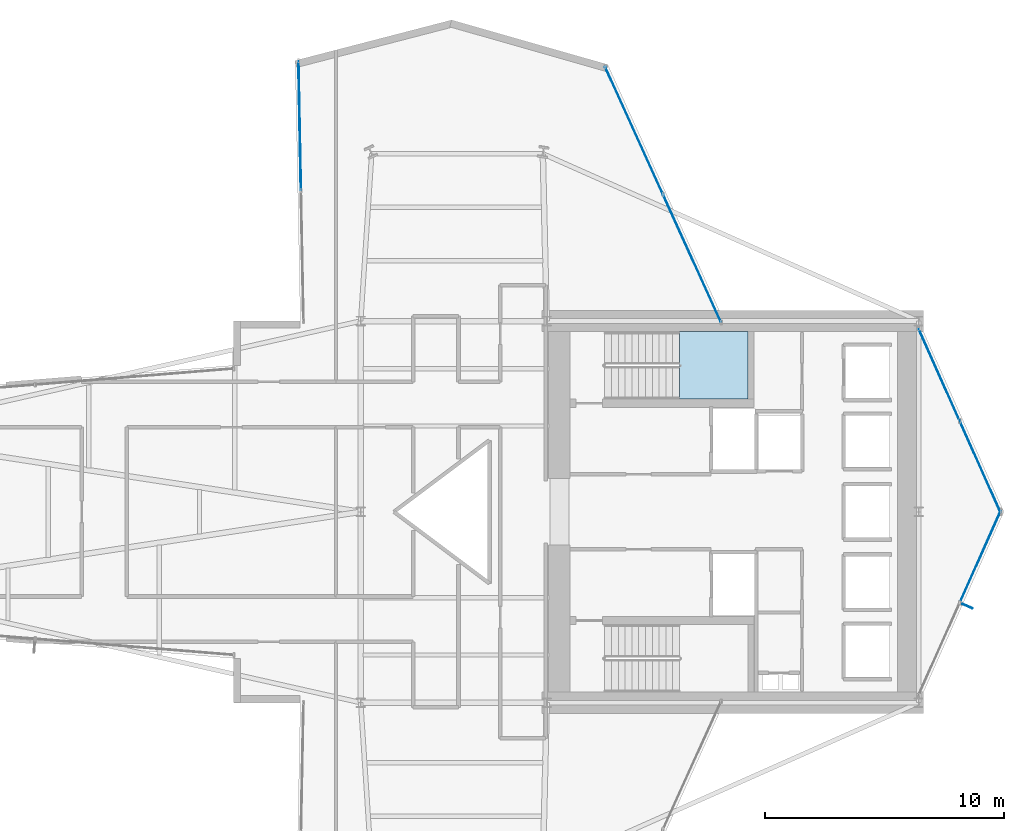
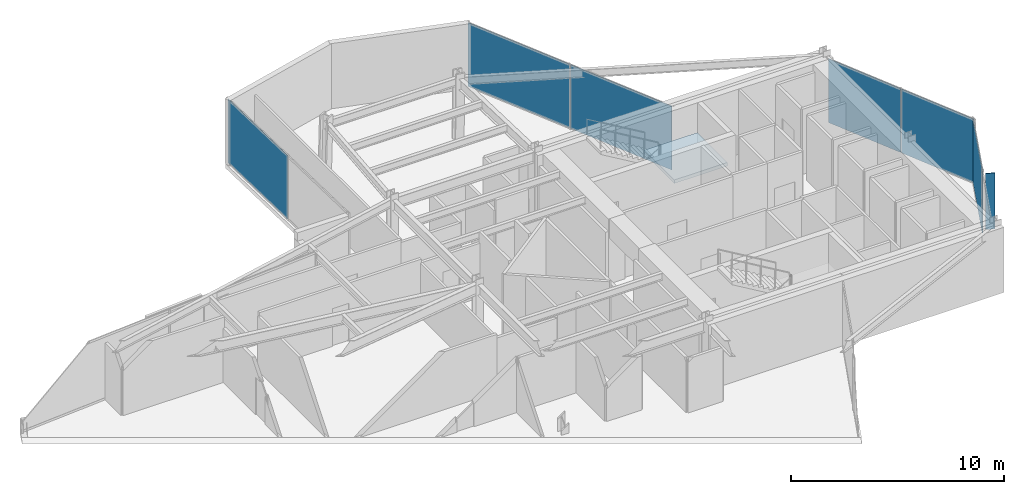
# One storey, part 21 of 25: 7 plates, 1 slab, 5 elements without a shape of their own.
"""IFC4 building model written with IfcOpenShell, lengths in metres."""

from ifc_helpers import new_model, si_unit, direction, frame, origin, origin_2d, place, context, subcontext, project, spatial, polyline, rectangle, outline, extrude, material, layer, layer_set, type_object, element, aggregate, save


model = new_model("IFC4")

# Units and contexts
model_context = context("Model", 3, precision=1e-05, world=origin(), true_north=direction((0.0, 1.0)))
body_context = subcontext(model_context, "Body", "Model", "MODEL_VIEW")
ifc_project = project(units=[si_unit("LENGTHUNIT", "METRE"), si_unit("AREAUNIT", "SQUARE_METRE"), si_unit("VOLUMEUNIT", "CUBIC_METRE"), si_unit("PLANEANGLEUNIT", "RADIAN"), si_unit("MASSUNIT", "GRAM", prefix="KILO")], contexts=[model_context])

# Site, building, storey
site_placement = place(None, origin())
site = spatial("IfcSite", under=ifc_project, at=site_placement, CompositionType="ELEMENT")
building_placement = place(site_placement, origin())
building = spatial("IfcBuilding", under=site, at=building_placement, Name="Veymaron Broadcast Tower", CompositionType="ELEMENT")
storey_placement = place(building_placement, frame((0.0, 0.0, 102.60009765625)))
storey = spatial("IfcBuildingStorey", under=building, at=storey_placement, Name="L23", CompositionType="ELEMENT", Elevation=102.60009765625)

# Curtain wall, plate
ifc_material_1 = material(Name="Anodised aluminium AA 6063-T6 and laminated low-E dark glass", Category="aluminium")
ifc_layer_1 = layer(ifc_material_1, 0.179931640625)
ifc_layer_set_1 = layer_set([ifc_layer_1], Name="Anodised aluminium AA 6063-T6 and laminated low-E dark glass")
curtain_wall_type = type_object("IfcCurtainWallType", Name="CW-SYS-02", PredefinedType="NOTDEFINED", material=ifc_layer_set_1)
curtain_wall_1_placement = place(storey_placement, origin())
curtain_wall_1 = element("IfcCurtainWall", 1, at=curtain_wall_1_placement, inside=storey, type_object=curtain_wall_type, Name="L23 dark-glass curtain wall CW-L23-E2-1", PredefinedType="NOTDEFINED")
ifc_material_2 = material(Name="Double-silver solar-control dark glass IGU 32 mm", Category="glass")
ifc_layer_2 = layer(ifc_material_2, 0.031982421875)
ifc_layer_set_2 = layer_set([ifc_layer_2], Name="Double-silver solar-control dark glass IGU 32 mm")
plate_type_1 = type_object("IfcPlateType", Name="CW-PNL-02", PredefinedType="CURTAIN_PANEL", material=ifc_layer_set_2)
plate_1_placement = place(storey_placement, frame((57.178466796875, 22.121337890625, 0.0400390625), z_axis=(0.0, 0.0, 1.0), x_axis=(0.407517768669, 0.913197277821, 0.0)))
plate_1 = element("IfcPlate", 2, at=plate_1_placement, type_object=plate_type_1, Name="CW-L23-E2-1 unitised curtain panel 1", PredefinedType="CURTAIN_PANEL", context=body_context, shape_type="SweptSolid", body=[
    extrude(rectangle(XDim=4.17919921875, YDim=0.031982421875, at=origin_2d()), origin(), (0.0, 0.0, 1.0), 3.64990234375),
])
aggregate(curtain_wall_1, [plate_1])

# Curtain wall, plates
curtain_wall_2_placement = place(storey_placement, origin())
curtain_wall_2 = element("IfcCurtainWall", 3, at=curtain_wall_2_placement, inside=storey, type_object=curtain_wall_type, Name="L23 dark-glass curtain wall CW-L23-E3-1", PredefinedType="NOTDEFINED")
plate_2_placement = place(storey_placement, frame((57.178466796875, 25.878662109375, 0.0400390625), z_axis=(0.0, 0.0, 1.0), x_axis=(-0.407517768669, 0.913197277821, 0.0)))
plate_2 = element("IfcPlate", 4, at=plate_2_placement, type_object=plate_type_1, Name="CW-L23-E3-1 unitised curtain panel 0", PredefinedType="CURTAIN_PANEL", context=body_context, shape_type="SweptSolid", body=[
    extrude(rectangle(XDim=4.17919921875, YDim=0.031982421875, at=origin_2d()), origin(), (0.0, 0.0, 1.0), 3.64990234375),
])
plate_3_placement = place(storey_placement, frame((55.45068359375, 29.75, 0.0400390625), z_axis=(0.0, 0.0, 1.0), x_axis=(-0.407517768669, 0.913197277821, 0.0)))
plate_3 = element("IfcPlate", 5, at=plate_3_placement, type_object=plate_type_1, Name="CW-L23-E3-1 unitised curtain panel 1", PredefinedType="CURTAIN_PANEL", context=body_context, shape_type="SweptSolid", body=[
    extrude(rectangle(XDim=4.17919921875, YDim=0.031982421875, at=origin_2d()), origin(), (0.0, 0.0, 1.0), 3.64990234375),
])
aggregate(curtain_wall_2, [plate_2, plate_3])

curtain_wall_3_placement = place(storey_placement, origin())
curtain_wall_3 = element("IfcCurtainWall", 6, at=curtain_wall_3_placement, inside=storey, type_object=curtain_wall_type, Name="L23 dark-glass curtain wall CW-L23-E5-1", PredefinedType="NOTDEFINED")
plate_4_placement = place(storey_placement, frame((45.092041015625, 34.627197265625, 0.0400390625), z_axis=(0.0, 0.0, 1.0), x_axis=(-0.41300906099, 0.910726916007, 0.0)))
plate_4 = element("IfcPlate", 7, at=plate_4_placement, type_object=plate_type_1, Name="CW-L23-E5-1 unitised curtain panel 0", PredefinedType="CURTAIN_PANEL", context=body_context, shape_type="SweptSolid", body=[
    extrude(rectangle(XDim=5.83642578125, YDim=0.031982421875, at=origin_2d()), origin(), (0.0, 0.0, 1.0), 3.64990234375),
])
plate_5_placement = place(storey_placement, frame((42.65673828125, 39.997314453125, 0.0400390625), z_axis=(0.0, 0.0, 1.0), x_axis=(-0.41300906099, 0.910726916007, 0.0)))
plate_5 = element("IfcPlate", 8, at=plate_5_placement, type_object=plate_type_1, Name="CW-L23-E5-1 unitised curtain panel 1", PredefinedType="CURTAIN_PANEL", context=body_context, shape_type="SweptSolid", body=[
    extrude(rectangle(XDim=5.83642578125, YDim=0.031982421875, at=origin_2d()), origin(), (0.0, 0.0, 1.0), 3.64990234375),
])
aggregate(curtain_wall_3, [plate_4, plate_5])

# Curtain wall, plate
curtain_wall_4_placement = place(storey_placement, origin())
curtain_wall_4 = element("IfcCurtainWall", 9, at=curtain_wall_4_placement, inside=storey, type_object=curtain_wall_type, Name="L23 dark-glass curtain wall CW-L23-E8-1", PredefinedType="NOTDEFINED")
plate_6_placement = place(storey_placement, frame((28.64599609375, 40.185302734375, 0.0400390625), z_axis=(0.0, 0.0, 1.0), x_axis=(0.019354492847, -0.99981268426, 0.0)))
plate_6 = element("IfcPlate", 10, at=plate_6_placement, type_object=plate_type_1, Name="CW-L23-E8-1 unitised curtain panel 0", PredefinedType="CURTAIN_PANEL", context=body_context, shape_type="SweptSolid", body=[
    extrude(rectangle(XDim=5.39599609375, YDim=0.031982421875, at=origin_2d()), origin(), (0.0, 0.0, 1.0), 3.64990234375),
])
aggregate(curtain_wall_4, [plate_6])

# Plate
ifc_material_3 = material(Name="Dark-anodised aluminium AA 6061-T6", Category="aluminium")
ifc_layer_3 = layer(ifc_material_3, 0.034912109375)
ifc_layer_set_3 = layer_set([ifc_layer_3], Name="Dark-anodised aluminium AA 6061-T6")
plate_type_2 = type_object("IfcPlateType", Name="FIN-CHEV-01", PredefinedType="USERDEFINED", material=ifc_layer_set_3)
plate_7_placement = place(storey_placement, frame((56.638916015625, 20.041015625, 0.26123046875), z_axis=(0.0, 0.0, 1.0), x_axis=(0.913197277821, -0.407517768669, 0.0)))
element("IfcPlate", 11, at=plate_7_placement, inside=storey, type_object=plate_type_2, Name="CW-L23-E2-1 chevron fin 1", ObjectType="FIN", PredefinedType="USERDEFINED", context=body_context, shape_type="SweptSolid", body=[
    extrude(rectangle(XDim=0.449951171875, YDim=0.034912109375, at=origin_2d()), origin(), (0.0, 0.0, 1.0), 3.207763671875),
])

# Stair, slab
ifc_material_4 = material(Name="Concrete C50/60", Category="concrete")
stair_type = type_object("IfcStairType", Name="STAIR-CORE-1", PredefinedType="HALF_TURN_STAIR", material=ifc_material_4)
stair_placement = place(storey_placement, origin())
stair = element("IfcStair", 12, at=stair_placement, inside=storey, type_object=stair_type, Name="L23 North protected dog-leg exit stair ST1", PredefinedType="HALF_TURN_STAIR")
ifc_layer_4 = layer(ifc_material_4, 0.199951171875)
ifc_layer_set_4 = layer_set([ifc_layer_4], Name="Concrete C50/60")
slab_type = type_object("IfcSlabType", Name="SLAB-STAIR-LDG", PredefinedType="LANDING", material=ifc_layer_set_4)
slab_placement = place(storey_placement, frame((0.0, 0.0, 1.824951171875)))
slab = element("IfcSlab", 13, at=slab_placement, type_object=slab_type, Name="ST1 landing 1", PredefinedType="LANDING", context=body_context, shape_type="SweptSolid", body=[
    extrude(outline(polyline([(44.56494140625, 28.72998046875), (47.43994140625, 28.72998046875), (47.43994140625, 31.550048828125), (44.56494140625, 31.550048828125), (44.56494140625, 28.72998046875)])), origin(), (0.0, 0.0, 1.0), 0.199951171875),
])
aggregate(stair, [slab])

save(model, "model.ifc")
